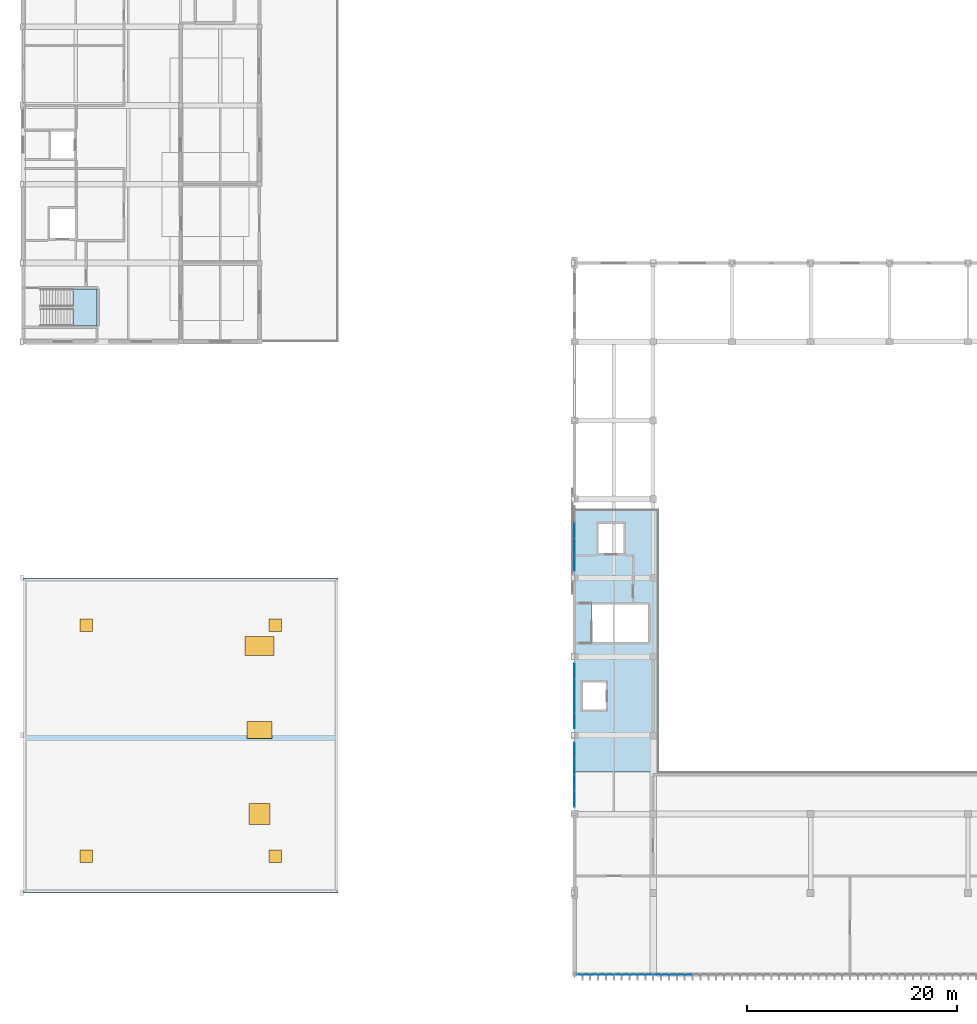
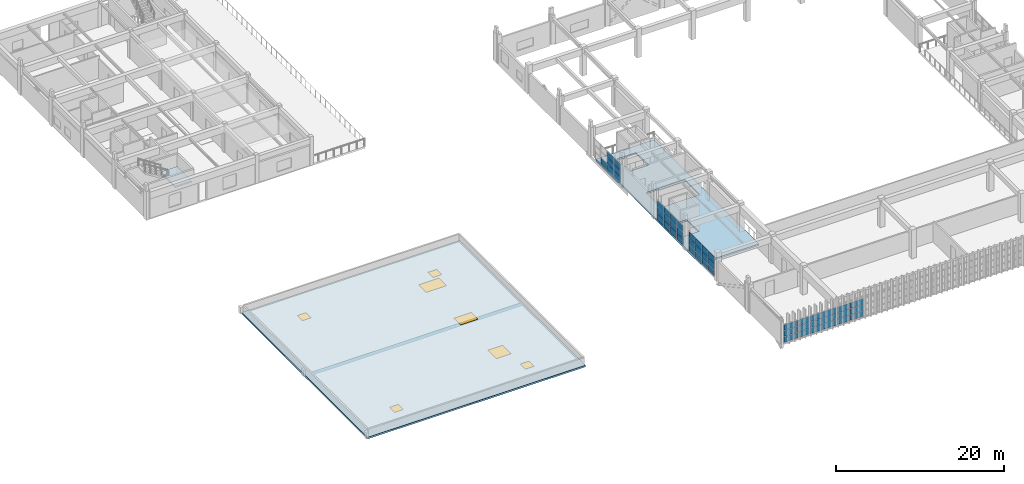
# One storey, part 24 of 51: 49 plates, 4 doors, 3 slabs, 3 windows, 7 openings, 6 elements without a shape of their own.
"""IFC4 building model written with IfcOpenShell, lengths in metres."""

from ifc_helpers import new_model, si_unit, direction, frame, origin, origin_2d, place, context, subcontext, project, spatial, polyline, rectangle, outline, extrude, material, layer, layer_set, type_object, element, fill, aggregate, save


model = new_model("IFC4")

# Units and contexts
model_context = context("Model", 3, precision=1e-05, world=origin(), true_north=direction((0.0, 1.0)))
body_context = subcontext(model_context, "Body", "Model", "MODEL_VIEW")
ifc_project = project(units=[si_unit("LENGTHUNIT", "METRE"), si_unit("AREAUNIT", "SQUARE_METRE"), si_unit("VOLUMEUNIT", "CUBIC_METRE"), si_unit("PLANEANGLEUNIT", "RADIAN"), si_unit("MASSUNIT", "GRAM", prefix="KILO")], contexts=[model_context])

# Site, building, storey
site_placement = place(None, origin())
site = spatial("IfcSite", under=ifc_project, at=site_placement, CompositionType="ELEMENT")
building_placement = place(site_placement, origin())
building = spatial("IfcBuilding", under=site, at=building_placement, Name="Qasida Concert Hall", CompositionType="ELEMENT")
storey_placement = place(building_placement, frame((0.0, 0.0, 21.0)))
storey = spatial("IfcBuildingStorey", under=building, at=storey_placement, Name="L05", CompositionType="ELEMENT", Elevation=21.0)

# Curtain wall, plates
ifc_material_1 = material(Name="Architectural bronze-anodized aluminium and low-E glass", Category="aluminium")
curtain_wall_type = type_object("IfcCurtainWallType", Name="CW-05", PredefinedType="NOTDEFINED", material=ifc_material_1)
curtain_wall_1_placement = place(storey_placement, origin())
curtain_wall_1 = element("IfcCurtainWall", 1, at=curtain_wall_1_placement, inside=storey, type_object=curtain_wall_type, Name="L05 curtain wall CW-05 0029", PredefinedType="NOTDEFINED")
ifc_material_2 = material(Name="Solar-control low-E double glazing", Category="glass")
ifc_layer_1 = layer(ifc_material_2, 0.028076171875, Name="Solar-control low-E double glazing")
ifc_layer_set_1 = layer_set([ifc_layer_1], Name="Solar-control low-E double glazing")
plate_type = type_object("IfcPlateType", Name="PLT-CWP-3", PredefinedType="CURTAIN_PANEL", material=ifc_layer_set_1)
plate_1_placement = place(storey_placement, frame((53.625, 14.699951171875, 0.06005859375), z_axis=(0.0, 0.0, 1.0), x_axis=(1.0, 0.0, 0.0)))
plate_1 = element("IfcPlate", 2, at=plate_1_placement, type_object=plate_type, Name="CW-05 panel 1.1", PredefinedType="CURTAIN_PANEL", context=body_context, shape_type="SweptSolid", body=[
    extrude(rectangle(XDim=1.72998046875, YDim=0.028076171875, at=origin_2d()), origin(), (0.0, 0.0, 1.0), 0.806640625),
])
plate_2_placement = place(storey_placement, frame((53.625, 14.699951171875, 0.9267578125), z_axis=(0.0, 0.0, 1.0), x_axis=(1.0, 0.0, 0.0)))
plate_2 = element("IfcPlate", 3, at=plate_2_placement, type_object=plate_type, Name="CW-05 panel 1.2", PredefinedType="CURTAIN_PANEL", context=body_context, shape_type="SweptSolid", body=[
    extrude(rectangle(XDim=1.72998046875, YDim=0.028076171875, at=origin_2d()), origin(), (0.0, 0.0, 1.0), 0.836669921875),
])
plate_3_placement = place(storey_placement, frame((53.625, 14.699951171875, 1.8232421875), z_axis=(0.0, 0.0, 1.0), x_axis=(1.0, 0.0, 0.0)))
plate_3 = element("IfcPlate", 4, at=plate_3_placement, type_object=plate_type, Name="CW-05 panel 1.3", PredefinedType="CURTAIN_PANEL", context=body_context, shape_type="SweptSolid", body=[
    extrude(rectangle(XDim=1.72998046875, YDim=0.028076171875, at=origin_2d()), origin(), (0.0, 0.0, 1.0), 0.806640625),
])
plate_4_placement = place(storey_placement, frame((55.429931640625, 14.699951171875, 0.06005859375), z_axis=(0.0, 0.0, 1.0), x_axis=(1.0, 0.0, 0.0)))
plate_4 = element("IfcPlate", 5, at=plate_4_placement, type_object=plate_type, Name="CW-05 panel 2.1", PredefinedType="CURTAIN_PANEL", context=body_context, shape_type="SweptSolid", body=[
    extrude(rectangle(XDim=1.760009765625, YDim=0.028076171875, at=origin_2d()), origin(), (0.0, 0.0, 1.0), 0.806640625),
])
plate_5_placement = place(storey_placement, frame((55.429931640625, 14.699951171875, 0.9267578125), z_axis=(0.0, 0.0, 1.0), x_axis=(1.0, 0.0, 0.0)))
plate_5 = element("IfcPlate", 6, at=plate_5_placement, type_object=plate_type, Name="CW-05 panel 2.2", PredefinedType="CURTAIN_PANEL", context=body_context, shape_type="SweptSolid", body=[
    extrude(rectangle(XDim=1.760009765625, YDim=0.028076171875, at=origin_2d()), origin(), (0.0, 0.0, 1.0), 0.836669921875),
])
plate_6_placement = place(storey_placement, frame((55.429931640625, 14.699951171875, 1.8232421875), z_axis=(0.0, 0.0, 1.0), x_axis=(1.0, 0.0, 0.0)))
plate_6 = element("IfcPlate", 7, at=plate_6_placement, type_object=plate_type, Name="CW-05 panel 2.3", PredefinedType="CURTAIN_PANEL", context=body_context, shape_type="SweptSolid", body=[
    extrude(rectangle(XDim=1.760009765625, YDim=0.028076171875, at=origin_2d()), origin(), (0.0, 0.0, 1.0), 0.806640625),
])
plate_7_placement = place(storey_placement, frame((57.25, 14.699951171875, 0.06005859375), z_axis=(0.0, 0.0, 1.0), x_axis=(1.0, 0.0, 0.0)))
plate_7 = element("IfcPlate", 8, at=plate_7_placement, type_object=plate_type, Name="CW-05 panel 3.1", PredefinedType="CURTAIN_PANEL", context=body_context, shape_type="SweptSolid", body=[
    extrude(rectangle(XDim=1.760009765625, YDim=0.028076171875, at=origin_2d()), origin(), (0.0, 0.0, 1.0), 0.806640625),
])
plate_8_placement = place(storey_placement, frame((57.25, 14.699951171875, 0.9267578125), z_axis=(0.0, 0.0, 1.0), x_axis=(1.0, 0.0, 0.0)))
plate_8 = element("IfcPlate", 9, at=plate_8_placement, type_object=plate_type, Name="CW-05 panel 3.2", PredefinedType="CURTAIN_PANEL", context=body_context, shape_type="SweptSolid", body=[
    extrude(rectangle(XDim=1.760009765625, YDim=0.028076171875, at=origin_2d()), origin(), (0.0, 0.0, 1.0), 0.836669921875),
])
plate_9_placement = place(storey_placement, frame((57.25, 14.699951171875, 1.8232421875), z_axis=(0.0, 0.0, 1.0), x_axis=(1.0, 0.0, 0.0)))
plate_9 = element("IfcPlate", 10, at=plate_9_placement, type_object=plate_type, Name="CW-05 panel 3.3", PredefinedType="CURTAIN_PANEL", context=body_context, shape_type="SweptSolid", body=[
    extrude(rectangle(XDim=1.760009765625, YDim=0.028076171875, at=origin_2d()), origin(), (0.0, 0.0, 1.0), 0.806640625),
])
plate_10_placement = place(storey_placement, frame((59.054931640625, 14.699951171875, 0.06005859375), z_axis=(0.0, 0.0, 1.0), x_axis=(1.0, 0.0, 0.0)))
plate_10 = element("IfcPlate", 11, at=plate_10_placement, type_object=plate_type, Name="CW-05 panel 4.1", PredefinedType="CURTAIN_PANEL", context=body_context, shape_type="SweptSolid", body=[
    extrude(rectangle(XDim=1.72998046875, YDim=0.028076171875, at=origin_2d()), origin(), (0.0, 0.0, 1.0), 0.806640625),
])
plate_11_placement = place(storey_placement, frame((59.054931640625, 14.699951171875, 0.9267578125), z_axis=(0.0, 0.0, 1.0), x_axis=(1.0, 0.0, 0.0)))
plate_11 = element("IfcPlate", 12, at=plate_11_placement, type_object=plate_type, Name="CW-05 panel 4.2", PredefinedType="CURTAIN_PANEL", context=body_context, shape_type="SweptSolid", body=[
    extrude(rectangle(XDim=1.72998046875, YDim=0.028076171875, at=origin_2d()), origin(), (0.0, 0.0, 1.0), 0.836669921875),
])
plate_12_placement = place(storey_placement, frame((59.054931640625, 14.699951171875, 1.8232421875), z_axis=(0.0, 0.0, 1.0), x_axis=(1.0, 0.0, 0.0)))
plate_12 = element("IfcPlate", 13, at=plate_12_placement, type_object=plate_type, Name="CW-05 panel 4.3", PredefinedType="CURTAIN_PANEL", context=body_context, shape_type="SweptSolid", body=[
    extrude(rectangle(XDim=1.72998046875, YDim=0.028076171875, at=origin_2d()), origin(), (0.0, 0.0, 1.0), 0.806640625),
])
aggregate(curtain_wall_1, [plate_1, plate_2, plate_3, plate_4, plate_5, plate_6, plate_7, plate_8, plate_9, plate_10, plate_11, plate_12])

curtain_wall_2_placement = place(storey_placement, origin())
curtain_wall_2 = element("IfcCurtainWall", 14, at=curtain_wall_2_placement, inside=storey, type_object=curtain_wall_type, Name="L05 curtain wall CW-05 0030", PredefinedType="NOTDEFINED")
plate_13_placement = place(storey_placement, frame((60.967529296875, 14.699951171875, 0.06005859375), z_axis=(0.0, 0.0, 1.0), x_axis=(1.0, 0.0, 0.0)))
plate_13 = element("IfcPlate", 15, at=plate_13_placement, type_object=plate_type, Name="CW-05 panel 1.1", PredefinedType="CURTAIN_PANEL", context=body_context, shape_type="SweptSolid", body=[
    extrude(rectangle(XDim=1.77490234375, YDim=0.028076171875, at=origin_2d()), origin(), (0.0, 0.0, 1.0), 0.806640625),
])
plate_14_placement = place(storey_placement, frame((60.967529296875, 14.699951171875, 0.9267578125), z_axis=(0.0, 0.0, 1.0), x_axis=(1.0, 0.0, 0.0)))
plate_14 = element("IfcPlate", 16, at=plate_14_placement, type_object=plate_type, Name="CW-05 panel 1.2", PredefinedType="CURTAIN_PANEL", context=body_context, shape_type="SweptSolid", body=[
    extrude(rectangle(XDim=1.77490234375, YDim=0.028076171875, at=origin_2d()), origin(), (0.0, 0.0, 1.0), 0.836669921875),
])
plate_15_placement = place(storey_placement, frame((60.967529296875, 14.699951171875, 1.8232421875), z_axis=(0.0, 0.0, 1.0), x_axis=(1.0, 0.0, 0.0)))
plate_15 = element("IfcPlate", 17, at=plate_15_placement, type_object=plate_type, Name="CW-05 panel 1.3", PredefinedType="CURTAIN_PANEL", context=body_context, shape_type="SweptSolid", body=[
    extrude(rectangle(XDim=1.77490234375, YDim=0.028076171875, at=origin_2d()), origin(), (0.0, 0.0, 1.0), 0.806640625),
])
plate_16_placement = place(storey_placement, frame((62.8173828125, 14.699951171875, 0.06005859375), z_axis=(0.0, 0.0, 1.0), x_axis=(1.0, 0.0, 0.0)))
plate_16 = element("IfcPlate", 18, at=plate_16_placement, type_object=plate_type, Name="CW-05 panel 2.1", PredefinedType="CURTAIN_PANEL", context=body_context, shape_type="SweptSolid", body=[
    extrude(rectangle(XDim=1.804931640625, YDim=0.028076171875, at=origin_2d()), origin(), (0.0, 0.0, 1.0), 0.806640625),
])
plate_17_placement = place(storey_placement, frame((62.8173828125, 14.699951171875, 0.9267578125), z_axis=(0.0, 0.0, 1.0), x_axis=(1.0, 0.0, 0.0)))
plate_17 = element("IfcPlate", 19, at=plate_17_placement, type_object=plate_type, Name="CW-05 panel 2.2", PredefinedType="CURTAIN_PANEL", context=body_context, shape_type="SweptSolid", body=[
    extrude(rectangle(XDim=1.804931640625, YDim=0.028076171875, at=origin_2d()), origin(), (0.0, 0.0, 1.0), 0.836669921875),
])
plate_18_placement = place(storey_placement, frame((62.8173828125, 14.699951171875, 1.8232421875), z_axis=(0.0, 0.0, 1.0), x_axis=(1.0, 0.0, 0.0)))
plate_18 = element("IfcPlate", 20, at=plate_18_placement, type_object=plate_type, Name="CW-05 panel 2.3", PredefinedType="CURTAIN_PANEL", context=body_context, shape_type="SweptSolid", body=[
    extrude(rectangle(XDim=1.804931640625, YDim=0.028076171875, at=origin_2d()), origin(), (0.0, 0.0, 1.0), 0.806640625),
])
aggregate(curtain_wall_2, [plate_13, plate_14, plate_15, plate_16, plate_17, plate_18])

curtain_wall_3_placement = place(storey_placement, origin())
curtain_wall_3 = element("IfcCurtainWall", 21, at=curtain_wall_3_placement, inside=storey, type_object=curtain_wall_type, Name="L05 curtain wall CW-05 0062", PredefinedType="NOTDEFINED")
plate_19_placement = place(storey_placement, frame((52.5, 31.41748046875, 0.06005859375), z_axis=(0.0, 0.0, 1.0), x_axis=(0.0, 1.0, 0.0)))
plate_19 = element("IfcPlate", 22, at=plate_19_placement, type_object=plate_type, Name="CW-05 panel 1.1", PredefinedType="CURTAIN_PANEL", context=body_context, shape_type="SweptSolid", body=[
    extrude(rectangle(XDim=1.47509765625, YDim=0.028076171875, at=origin_2d()), origin(), (0.0, 0.0, 1.0), 0.889892578125),
])
plate_20_placement = place(storey_placement, frame((52.5, 31.41748046875, 1.010009765625), z_axis=(0.0, 0.0, 1.0), x_axis=(0.0, 1.0, 0.0)))
plate_20 = element("IfcPlate", 23, at=plate_20_placement, type_object=plate_type, Name="CW-05 panel 1.2", PredefinedType="CURTAIN_PANEL", context=body_context, shape_type="SweptSolid", body=[
    extrude(rectangle(XDim=1.47509765625, YDim=0.028076171875, at=origin_2d()), origin(), (0.0, 0.0, 1.0), 0.919921875),
])
plate_21_placement = place(storey_placement, frame((52.5, 31.41748046875, 1.990234375), z_axis=(0.0, 0.0, 1.0), x_axis=(0.0, 1.0, 0.0)))
plate_21 = element("IfcPlate", 24, at=plate_21_placement, type_object=plate_type, Name="CW-05 panel 1.3", PredefinedType="CURTAIN_PANEL", context=body_context, shape_type="SweptSolid", body=[
    extrude(rectangle(XDim=1.47509765625, YDim=0.028076171875, at=origin_2d()), origin(), (0.0, 0.0, 1.0), 0.889892578125),
])
plate_22_placement = place(storey_placement, frame((52.5, 32.967529296875, 0.06005859375), z_axis=(0.0, 0.0, 1.0), x_axis=(0.0, 1.0, 0.0)))
plate_22 = element("IfcPlate", 25, at=plate_22_placement, type_object=plate_type, Name="CW-05 panel 2.1", PredefinedType="CURTAIN_PANEL", context=body_context, shape_type="SweptSolid", body=[
    extrude(rectangle(XDim=1.5048828125, YDim=0.028076171875, at=origin_2d()), origin(), (0.0, 0.0, 1.0), 0.889892578125),
])
plate_23_placement = place(storey_placement, frame((52.5, 32.967529296875, 1.010009765625), z_axis=(0.0, 0.0, 1.0), x_axis=(0.0, 1.0, 0.0)))
plate_23 = element("IfcPlate", 26, at=plate_23_placement, type_object=plate_type, Name="CW-05 panel 2.2", PredefinedType="CURTAIN_PANEL", context=body_context, shape_type="SweptSolid", body=[
    extrude(rectangle(XDim=1.5048828125, YDim=0.028076171875, at=origin_2d()), origin(), (0.0, 0.0, 1.0), 0.919921875),
])
plate_24_placement = place(storey_placement, frame((52.5, 32.967529296875, 1.990234375), z_axis=(0.0, 0.0, 1.0), x_axis=(0.0, 1.0, 0.0)))
plate_24 = element("IfcPlate", 27, at=plate_24_placement, type_object=plate_type, Name="CW-05 panel 2.3", PredefinedType="CURTAIN_PANEL", context=body_context, shape_type="SweptSolid", body=[
    extrude(rectangle(XDim=1.5048828125, YDim=0.028076171875, at=origin_2d()), origin(), (0.0, 0.0, 1.0), 0.889892578125),
])
plate_25_placement = place(storey_placement, frame((52.5, 34.532470703125, 0.06005859375), z_axis=(0.0, 0.0, 1.0), x_axis=(0.0, 1.0, 0.0)))
plate_25 = element("IfcPlate", 28, at=plate_25_placement, type_object=plate_type, Name="CW-05 panel 3.1", PredefinedType="CURTAIN_PANEL", context=body_context, shape_type="SweptSolid", body=[
    extrude(rectangle(XDim=1.5048828125, YDim=0.028076171875, at=origin_2d()), origin(), (0.0, 0.0, 1.0), 0.889892578125),
])
plate_26_placement = place(storey_placement, frame((52.5, 34.532470703125, 1.010009765625), z_axis=(0.0, 0.0, 1.0), x_axis=(0.0, 1.0, 0.0)))
plate_26 = element("IfcPlate", 29, at=plate_26_placement, type_object=plate_type, Name="CW-05 panel 3.2", PredefinedType="CURTAIN_PANEL", context=body_context, shape_type="SweptSolid", body=[
    extrude(rectangle(XDim=1.5048828125, YDim=0.028076171875, at=origin_2d()), origin(), (0.0, 0.0, 1.0), 0.919921875),
])
plate_27_placement = place(storey_placement, frame((52.5, 34.532470703125, 1.990234375), z_axis=(0.0, 0.0, 1.0), x_axis=(0.0, 1.0, 0.0)))
plate_27 = element("IfcPlate", 30, at=plate_27_placement, type_object=plate_type, Name="CW-05 panel 3.3", PredefinedType="CURTAIN_PANEL", context=body_context, shape_type="SweptSolid", body=[
    extrude(rectangle(XDim=1.5048828125, YDim=0.028076171875, at=origin_2d()), origin(), (0.0, 0.0, 1.0), 0.889892578125),
])
plate_28_placement = place(storey_placement, frame((52.5, 36.08251953125, 0.06005859375), z_axis=(0.0, 0.0, 1.0), x_axis=(0.0, 1.0, 0.0)))
plate_28 = element("IfcPlate", 31, at=plate_28_placement, type_object=plate_type, Name="CW-05 panel 4.1", PredefinedType="CURTAIN_PANEL", context=body_context, shape_type="SweptSolid", body=[
    extrude(rectangle(XDim=1.47509765625, YDim=0.028076171875, at=origin_2d()), origin(), (0.0, 0.0, 1.0), 0.889892578125),
])
plate_29_placement = place(storey_placement, frame((52.5, 36.08251953125, 1.010009765625), z_axis=(0.0, 0.0, 1.0), x_axis=(0.0, 1.0, 0.0)))
plate_29 = element("IfcPlate", 32, at=plate_29_placement, type_object=plate_type, Name="CW-05 panel 4.2", PredefinedType="CURTAIN_PANEL", context=body_context, shape_type="SweptSolid", body=[
    extrude(rectangle(XDim=1.47509765625, YDim=0.028076171875, at=origin_2d()), origin(), (0.0, 0.0, 1.0), 0.919921875),
])
plate_30_placement = place(storey_placement, frame((52.5, 36.08251953125, 1.990234375), z_axis=(0.0, 0.0, 1.0), x_axis=(0.0, 1.0, 0.0)))
plate_30 = element("IfcPlate", 33, at=plate_30_placement, type_object=plate_type, Name="CW-05 panel 4.3", PredefinedType="CURTAIN_PANEL", context=body_context, shape_type="SweptSolid", body=[
    extrude(rectangle(XDim=1.47509765625, YDim=0.028076171875, at=origin_2d()), origin(), (0.0, 0.0, 1.0), 0.889892578125),
])
aggregate(curtain_wall_3, [plate_19, plate_20, plate_21, plate_22, plate_23, plate_24, plate_25, plate_26, plate_27, plate_28, plate_29, plate_30])

curtain_wall_4_placement = place(storey_placement, origin())
curtain_wall_4 = element("IfcCurtainWall", 34, at=curtain_wall_4_placement, inside=storey, type_object=curtain_wall_type, Name="L05 curtain wall CW-05 0064", PredefinedType="NOTDEFINED")
plate_31_placement = place(storey_placement, frame((52.5, 38.91748046875, 0.06005859375), z_axis=(0.0, 0.0, 1.0), x_axis=(0.0, 1.0, 0.0)))
plate_31 = element("IfcPlate", 35, at=plate_31_placement, type_object=plate_type, Name="CW-05 panel 1.1", PredefinedType="CURTAIN_PANEL", context=body_context, shape_type="SweptSolid", body=[
    extrude(rectangle(XDim=1.47509765625, YDim=0.028076171875, at=origin_2d()), origin(), (0.0, 0.0, 1.0), 0.889892578125),
])
plate_32_placement = place(storey_placement, frame((52.5, 38.91748046875, 1.010009765625), z_axis=(0.0, 0.0, 1.0), x_axis=(0.0, 1.0, 0.0)))
plate_32 = element("IfcPlate", 36, at=plate_32_placement, type_object=plate_type, Name="CW-05 panel 1.2", PredefinedType="CURTAIN_PANEL", context=body_context, shape_type="SweptSolid", body=[
    extrude(rectangle(XDim=1.47509765625, YDim=0.028076171875, at=origin_2d()), origin(), (0.0, 0.0, 1.0), 0.919921875),
])
plate_33_placement = place(storey_placement, frame((52.5, 38.91748046875, 1.990234375), z_axis=(0.0, 0.0, 1.0), x_axis=(0.0, 1.0, 0.0)))
plate_33 = element("IfcPlate", 37, at=plate_33_placement, type_object=plate_type, Name="CW-05 panel 1.3", PredefinedType="CURTAIN_PANEL", context=body_context, shape_type="SweptSolid", body=[
    extrude(rectangle(XDim=1.47509765625, YDim=0.028076171875, at=origin_2d()), origin(), (0.0, 0.0, 1.0), 0.889892578125),
])
plate_34_placement = place(storey_placement, frame((52.5, 40.467529296875, 0.06005859375), z_axis=(0.0, 0.0, 1.0), x_axis=(0.0, 1.0, 0.0)))
plate_34 = element("IfcPlate", 38, at=plate_34_placement, type_object=plate_type, Name="CW-05 panel 2.1", PredefinedType="CURTAIN_PANEL", context=body_context, shape_type="SweptSolid", body=[
    extrude(rectangle(XDim=1.5048828125, YDim=0.028076171875, at=origin_2d()), origin(), (0.0, 0.0, 1.0), 0.889892578125),
])
plate_35_placement = place(storey_placement, frame((52.5, 40.467529296875, 1.010009765625), z_axis=(0.0, 0.0, 1.0), x_axis=(0.0, 1.0, 0.0)))
plate_35 = element("IfcPlate", 39, at=plate_35_placement, type_object=plate_type, Name="CW-05 panel 2.2", PredefinedType="CURTAIN_PANEL", context=body_context, shape_type="SweptSolid", body=[
    extrude(rectangle(XDim=1.5048828125, YDim=0.028076171875, at=origin_2d()), origin(), (0.0, 0.0, 1.0), 0.919921875),
])
plate_36_placement = place(storey_placement, frame((52.5, 40.467529296875, 1.990234375), z_axis=(0.0, 0.0, 1.0), x_axis=(0.0, 1.0, 0.0)))
plate_36 = element("IfcPlate", 40, at=plate_36_placement, type_object=plate_type, Name="CW-05 panel 2.3", PredefinedType="CURTAIN_PANEL", context=body_context, shape_type="SweptSolid", body=[
    extrude(rectangle(XDim=1.5048828125, YDim=0.028076171875, at=origin_2d()), origin(), (0.0, 0.0, 1.0), 0.889892578125),
])
plate_37_placement = place(storey_placement, frame((52.5, 42.032470703125, 0.06005859375), z_axis=(0.0, 0.0, 1.0), x_axis=(0.0, 1.0, 0.0)))
plate_37 = element("IfcPlate", 41, at=plate_37_placement, type_object=plate_type, Name="CW-05 panel 3.1", PredefinedType="CURTAIN_PANEL", context=body_context, shape_type="SweptSolid", body=[
    extrude(rectangle(XDim=1.5048828125, YDim=0.028076171875, at=origin_2d()), origin(), (0.0, 0.0, 1.0), 0.889892578125),
])
plate_38_placement = place(storey_placement, frame((52.5, 42.032470703125, 1.010009765625), z_axis=(0.0, 0.0, 1.0), x_axis=(0.0, 1.0, 0.0)))
plate_38 = element("IfcPlate", 42, at=plate_38_placement, type_object=plate_type, Name="CW-05 panel 3.2", PredefinedType="CURTAIN_PANEL", context=body_context, shape_type="SweptSolid", body=[
    extrude(rectangle(XDim=1.5048828125, YDim=0.028076171875, at=origin_2d()), origin(), (0.0, 0.0, 1.0), 0.919921875),
])
plate_39_placement = place(storey_placement, frame((52.5, 42.032470703125, 1.990234375), z_axis=(0.0, 0.0, 1.0), x_axis=(0.0, 1.0, 0.0)))
plate_39 = element("IfcPlate", 43, at=plate_39_placement, type_object=plate_type, Name="CW-05 panel 3.3", PredefinedType="CURTAIN_PANEL", context=body_context, shape_type="SweptSolid", body=[
    extrude(rectangle(XDim=1.5048828125, YDim=0.028076171875, at=origin_2d()), origin(), (0.0, 0.0, 1.0), 0.889892578125),
])
plate_40_placement = place(storey_placement, frame((52.5, 43.58251953125, 0.06005859375), z_axis=(0.0, 0.0, 1.0), x_axis=(0.0, 1.0, 0.0)))
plate_40 = element("IfcPlate", 44, at=plate_40_placement, type_object=plate_type, Name="CW-05 panel 4.1", PredefinedType="CURTAIN_PANEL", context=body_context, shape_type="SweptSolid", body=[
    extrude(rectangle(XDim=1.47509765625, YDim=0.028076171875, at=origin_2d()), origin(), (0.0, 0.0, 1.0), 0.889892578125),
])
plate_41_placement = place(storey_placement, frame((52.5, 43.58251953125, 1.010009765625), z_axis=(0.0, 0.0, 1.0), x_axis=(0.0, 1.0, 0.0)))
plate_41 = element("IfcPlate", 45, at=plate_41_placement, type_object=plate_type, Name="CW-05 panel 4.2", PredefinedType="CURTAIN_PANEL", context=body_context, shape_type="SweptSolid", body=[
    extrude(rectangle(XDim=1.47509765625, YDim=0.028076171875, at=origin_2d()), origin(), (0.0, 0.0, 1.0), 0.919921875),
])
plate_42_placement = place(storey_placement, frame((52.5, 43.58251953125, 1.990234375), z_axis=(0.0, 0.0, 1.0), x_axis=(0.0, 1.0, 0.0)))
plate_42 = element("IfcPlate", 46, at=plate_42_placement, type_object=plate_type, Name="CW-05 panel 4.3", PredefinedType="CURTAIN_PANEL", context=body_context, shape_type="SweptSolid", body=[
    extrude(rectangle(XDim=1.47509765625, YDim=0.028076171875, at=origin_2d()), origin(), (0.0, 0.0, 1.0), 0.889892578125),
])
aggregate(curtain_wall_4, [plate_31, plate_32, plate_33, plate_34, plate_35, plate_36, plate_37, plate_38, plate_39, plate_40, plate_41, plate_42])

curtain_wall_5_placement = place(storey_placement, origin())
curtain_wall_5 = element("IfcCurtainWall", 47, at=curtain_wall_5_placement, inside=storey, type_object=curtain_wall_type, Name="L05 curtain wall CW-05 0066", PredefinedType="NOTDEFINED")
plate_43_placement = place(storey_placement, frame((52.5, 53.91748046875, 0.06005859375), z_axis=(0.0, 0.0, 1.0), x_axis=(0.0, 1.0, 0.0)))
plate_43 = element("IfcPlate", 48, at=plate_43_placement, type_object=plate_type, Name="CW-05 panel 1.1", PredefinedType="CURTAIN_PANEL", context=body_context, shape_type="SweptSolid", body=[
    extrude(rectangle(XDim=1.47509765625, YDim=0.028076171875, at=origin_2d()), origin(), (0.0, 0.0, 1.0), 0.856689453125),
])
plate_44_placement = place(storey_placement, frame((52.5, 53.91748046875, 0.9765625), z_axis=(0.0, 0.0, 1.0), x_axis=(0.0, 1.0, 0.0)))
plate_44 = element("IfcPlate", 49, at=plate_44_placement, type_object=plate_type, Name="CW-05 panel 1.2", PredefinedType="CURTAIN_PANEL", context=body_context, shape_type="SweptSolid", body=[
    extrude(rectangle(XDim=1.47509765625, YDim=0.028076171875, at=origin_2d()), origin(), (0.0, 0.0, 1.0), 0.88671875),
])
plate_45_placement = place(storey_placement, frame((52.5, 53.91748046875, 1.92333984375), z_axis=(0.0, 0.0, 1.0), x_axis=(0.0, 1.0, 0.0)))
plate_45 = element("IfcPlate", 50, at=plate_45_placement, type_object=plate_type, Name="CW-05 panel 1.3", PredefinedType="CURTAIN_PANEL", context=body_context, shape_type="SweptSolid", body=[
    extrude(rectangle(XDim=1.47509765625, YDim=0.028076171875, at=origin_2d()), origin(), (0.0, 0.0, 1.0), 0.856689453125),
])
plate_46_placement = place(storey_placement, frame((52.5, 55.467529296875, 0.06005859375), z_axis=(0.0, 0.0, 1.0), x_axis=(0.0, 1.0, 0.0)))
plate_46 = element("IfcPlate", 51, at=plate_46_placement, type_object=plate_type, Name="CW-05 panel 2.1", PredefinedType="CURTAIN_PANEL", context=body_context, shape_type="SweptSolid", body=[
    extrude(rectangle(XDim=1.5048828125, YDim=0.028076171875, at=origin_2d()), origin(), (0.0, 0.0, 1.0), 0.856689453125),
])
plate_47_placement = place(storey_placement, frame((52.5, 55.467529296875, 0.9765625), z_axis=(0.0, 0.0, 1.0), x_axis=(0.0, 1.0, 0.0)))
plate_47 = element("IfcPlate", 52, at=plate_47_placement, type_object=plate_type, Name="CW-05 panel 2.2", PredefinedType="CURTAIN_PANEL", context=body_context, shape_type="SweptSolid", body=[
    extrude(rectangle(XDim=1.5048828125, YDim=0.028076171875, at=origin_2d()), origin(), (0.0, 0.0, 1.0), 0.88671875),
])
plate_48_placement = place(storey_placement, frame((52.5, 55.467529296875, 1.92333984375), z_axis=(0.0, 0.0, 1.0), x_axis=(0.0, 1.0, 0.0)))
plate_48 = element("IfcPlate", 53, at=plate_48_placement, type_object=plate_type, Name="CW-05 panel 2.3", PredefinedType="CURTAIN_PANEL", context=body_context, shape_type="SweptSolid", body=[
    extrude(rectangle(XDim=1.5048828125, YDim=0.028076171875, at=origin_2d()), origin(), (0.0, 0.0, 1.0), 0.856689453125),
])
plate_49_placement = place(storey_placement, frame((52.5, 57.032470703125, 0.06005859375), z_axis=(0.0, 0.0, 1.0), x_axis=(0.0, 1.0, 0.0)))
plate_49 = element("IfcPlate", 54, at=plate_49_placement, type_object=plate_type, Name="CW-05 panel 3.1", PredefinedType="CURTAIN_PANEL", context=body_context, shape_type="SweptSolid", body=[
    extrude(rectangle(XDim=1.5048828125, YDim=0.028076171875, at=origin_2d()), origin(), (0.0, 0.0, 1.0), 0.856689453125),
])
aggregate(curtain_wall_5, [plate_43, plate_44, plate_45, plate_46, plate_47, plate_48, plate_49])

# Slab
ifc_material_3 = material(Name="Concrete C40/50", Category="concrete")
ifc_layer_2 = layer(ifc_material_3, 0.239990234375, Name="Concrete C40/50")
ifc_layer_set_2 = layer_set([ifc_layer_2], Name="Concrete C40/50")
slab_type_1 = type_object("IfcSlabType", Name="SL-FS-240", PredefinedType="FLOOR", material=ifc_layer_set_2)
slab_1_placement = place(storey_placement, frame((0.0, 0.0, -0.239990234375)))
element("IfcSlab", 55, at=slab_1_placement, inside=storey, type_object=slab_type_1, Name="V1 technical gallery west (FS-240)", PredefinedType="FLOOR", context=body_context, shape_type="SweptSolid", body=[
    extrude(outline(polyline([(52.5, 34.0), (60.5, 34.0), (60.5, 59.0), (52.5, 59.0), (52.5, 34.0)]), holes=[polyline([(53.199951171875, 39.85009765625), (55.60009765625, 39.85009765625), (55.60009765625, 42.64990234375), (53.199951171875, 42.64990234375), (53.199951171875, 39.85009765625)]), polyline([(54.18994140625, 46.39990234375), (59.52001953125, 46.39990234375), (59.52001953125, 49.9599609375), (54.18994140625, 49.9599609375), (54.18994140625, 46.39990234375)]), polyline([(54.699951171875, 54.75), (57.300048828125, 54.75), (57.300048828125, 57.75), (54.699951171875, 57.75), (54.699951171875, 54.75)])]), origin(), (0.0, 0.0, 1.0), 0.239990234375),
])

# Stair, slab
stair_type = type_object("IfcStairType", Name="ST-DL-165", PredefinedType="HALF_TURN_STAIR", material=ifc_material_3)
stair_placement = place(storey_placement, origin())
stair = element("IfcStair", 56, at=stair_placement, inside=storey, type_object=stair_type, Name="L05 Exit stair ST-05", PredefinedType="HALF_TURN_STAIR")
ifc_layer_3 = layer(ifc_material_3, 0.199951171875, Name="Concrete C40/50")
ifc_layer_set_3 = layer_set([ifc_layer_3], Name="Concrete C40/50")
slab_type_2 = type_object("IfcSlabType", Name="SL-LND-200", PredefinedType="LANDING", material=ifc_layer_set_3)
slab_2_placement = place(storey_placement, frame((0.0, 0.0, 1.89990234375)))
slab_2 = element("IfcSlab", 57, at=slab_2_placement, type_object=slab_type_2, Name="ST-05 landing 1", PredefinedType="LANDING", context=body_context, shape_type="SweptSolid", body=[
    extrude(outline(polyline([(4.72998046875, 76.5), (7.02001953125, 76.5), (7.02001953125, 80.0), (4.72998046875, 80.0), (4.72998046875, 76.5)])), origin(), (0.0, 0.0, 1.0), 0.2001953125),
])
aggregate(stair, [slab_2])

# Slab, openings, doors, windows
ifc_layer_4 = layer(ifc_material_3, 0.239990234375, Name="Concrete C40/50")
ifc_layer_set_4 = layer_set([ifc_layer_4], Name="Concrete C40/50")
slab_type_3 = type_object("IfcSlabType", Name="SL-RS-240", PredefinedType="ROOF", material=ifc_layer_set_4)
slab_3_placement = place(storey_placement, frame((0.0, 0.0, -0.239990234375)))
slab_3 = element("IfcSlab", 58, at=slab_3_placement, inside=storey, type_object=slab_type_3, Name="V3 top roof slab (RS-240)", PredefinedType="ROOF", context=body_context, shape_type="SweptSolid", body=[
    extrude(outline(polyline([(0.0, 22.5), (30.0, 22.5), (30.0, 52.5), (0.0, 52.5), (0.0, 22.5)])), origin(), (0.0, 0.0, 1.0), 0.239990234375),
])
opening_1_placement = place(slab_3_placement, frame((22.5, 30.0, -0.010009765625)))
opening_1 = element("IfcOpeningElement", 59, at=opening_1_placement, cuts=slab_3, Name="Opening SK-04", PredefinedType="OPENING", context=body_context, shape_type="SweptSolid", body=[
    extrude(rectangle(XDim=2.0, YDim=2.0, at=origin_2d()), origin(), (0.0, 0.0, 1.0), 0.260009765625),
])
opening_2_placement = place(slab_3_placement, frame((22.5, 38.0, -0.010009765625)))
opening_2 = element("IfcOpeningElement", 60, at=opening_2_placement, cuts=slab_3, Name="Opening SK-01", PredefinedType="OPENING", context=body_context, shape_type="SweptSolid", body=[
    extrude(rectangle(XDim=2.39990234375, YDim=1.60009765625, at=origin_2d()), origin(), (0.0, 0.0, 1.0), 0.260009765625),
])
opening_3_placement = place(slab_3_placement, frame((22.5, 46.0, -0.010009765625)))
opening_3 = element("IfcOpeningElement", 61, at=opening_3_placement, cuts=slab_3, Name="Opening SK-02", PredefinedType="OPENING", context=body_context, shape_type="SweptSolid", body=[
    extrude(rectangle(XDim=2.800048828125, YDim=1.800048828125, at=origin_2d()), origin(), (0.0, 0.0, 1.0), 0.260009765625),
])
opening_4_placement = place(slab_3_placement, frame((6.0, 26.0, -0.010009765625)))
opening_4 = element("IfcOpeningElement", 62, at=opening_4_placement, cuts=slab_3, Name="Opening RH-120", PredefinedType="OPENING", context=body_context, shape_type="SweptSolid", body=[
    extrude(rectangle(XDim=1.199951171875, YDim=1.199951171875, at=origin_2d()), origin(), (0.0, 0.0, 1.0), 0.260009765625),
])
opening_5_placement = place(slab_3_placement, frame((24.0, 26.0, -0.010009765625)))
opening_5 = element("IfcOpeningElement", 63, at=opening_5_placement, cuts=slab_3, Name="Opening RH-120", PredefinedType="OPENING", context=body_context, shape_type="SweptSolid", body=[
    extrude(rectangle(XDim=1.199951171875, YDim=1.199951171875, at=origin_2d()), origin(), (0.0, 0.0, 1.0), 0.260009765625),
])
opening_6_placement = place(slab_3_placement, frame((6.0, 48.0, -0.010009765625)))
opening_6 = element("IfcOpeningElement", 64, at=opening_6_placement, cuts=slab_3, Name="Opening RH-120", PredefinedType="OPENING", context=body_context, shape_type="SweptSolid", body=[
    extrude(rectangle(XDim=1.199951171875, YDim=1.199951171875, at=origin_2d()), origin(), (0.0, 0.0, 1.0), 0.260009765625),
])
opening_7_placement = place(slab_3_placement, frame((24.0, 48.0, -0.010009765625)))
opening_7 = element("IfcOpeningElement", 65, at=opening_7_placement, cuts=slab_3, Name="Opening RH-120", PredefinedType="OPENING", context=body_context, shape_type="SweptSolid", body=[
    extrude(rectangle(XDim=1.199951171875, YDim=1.199951171875, at=origin_2d()), origin(), (0.0, 0.0, 1.0), 0.260009765625),
])
ifc_material_4 = material(Name="Insulated powder-coated galvanized steel", Category="steel")
door_type = type_object("IfcDoorType", Name="RH-120", OperationType="NOTDEFINED", PredefinedType="TRAPDOOR", material=ifc_material_4)
door_1_placement = place(storey_placement, frame((6.0, 26.0, -0.050048828125)))
door_1 = element("IfcDoor", 66, at=door_1_placement, inside=storey, type_object=door_type, Name="L05 roof access hatch RH-03", OperationType="SINGLE_SWING_LEFT", OverallHeight=1.199951171875, OverallWidth=1.199951171875, PredefinedType="TRAPDOOR", context=body_context, shape_type="SweptSolid", body=[
    extrude(rectangle(XDim=1.199951171875, YDim=1.199951171875, at=origin_2d()), origin(), (0.0, 0.0, 1.0), 0.050048828125),
])
fill(opening_4, door_1)
door_2_placement = place(storey_placement, frame((24.0, 26.0, -0.050048828125)))
door_2 = element("IfcDoor", 67, at=door_2_placement, inside=storey, type_object=door_type, Name="L05 roof access hatch RH-04", OperationType="SINGLE_SWING_LEFT", OverallHeight=1.199951171875, OverallWidth=1.199951171875, PredefinedType="TRAPDOOR", context=body_context, shape_type="SweptSolid", body=[
    extrude(rectangle(XDim=1.199951171875, YDim=1.199951171875, at=origin_2d()), origin(), (0.0, 0.0, 1.0), 0.050048828125),
])
fill(opening_5, door_2)
door_3_placement = place(storey_placement, frame((6.0, 48.0, -0.050048828125)))
door_3 = element("IfcDoor", 68, at=door_3_placement, inside=storey, type_object=door_type, Name="L05 roof access hatch RH-05", OperationType="SINGLE_SWING_LEFT", OverallHeight=1.199951171875, OverallWidth=1.199951171875, PredefinedType="TRAPDOOR", context=body_context, shape_type="SweptSolid", body=[
    extrude(rectangle(XDim=1.199951171875, YDim=1.199951171875, at=origin_2d()), origin(), (0.0, 0.0, 1.0), 0.050048828125),
])
fill(opening_6, door_3)
door_4_placement = place(storey_placement, frame((24.0, 48.0, -0.050048828125)))
door_4 = element("IfcDoor", 69, at=door_4_placement, inside=storey, type_object=door_type, Name="L05 roof access hatch RH-06", OperationType="SINGLE_SWING_LEFT", OverallHeight=1.199951171875, OverallWidth=1.199951171875, PredefinedType="TRAPDOOR", context=body_context, shape_type="SweptSolid", body=[
    extrude(rectangle(XDim=1.199951171875, YDim=1.199951171875, at=origin_2d()), origin(), (0.0, 0.0, 1.0), 0.050048828125),
])
fill(opening_7, door_4)
ifc_material_5 = material(Name="Bronze-anodized aluminium frame with acoustic low-E glazing", Category="aluminium")
window_type_1 = type_object("IfcWindowType", Name="SK-01", PartitioningType="SINGLE_PANEL", PredefinedType="SKYLIGHT", material=ifc_material_5)
window_1_placement = place(storey_placement, frame((22.5, 38.0, -0.050048828125)))
window_1 = element("IfcWindow", 70, at=window_1_placement, inside=storey, type_object=window_type_1, Name="L05 acoustic skylight SK-01 009", OverallHeight=1.60009765625, OverallWidth=2.39990234375, PartitioningType="SINGLE_PANEL", PredefinedType="SKYLIGHT", context=body_context, shape_type="SweptSolid", body=[
    extrude(rectangle(XDim=2.39990234375, YDim=1.60009765625, at=origin_2d()), origin(), (0.0, 0.0, 1.0), 0.050048828125),
])
fill(opening_2, window_1)
window_type_2 = type_object("IfcWindowType", Name="SK-02", PartitioningType="SINGLE_PANEL", PredefinedType="SKYLIGHT", material=ifc_material_5)
window_2_placement = place(storey_placement, frame((22.5, 46.0, -0.050048828125)))
window_2 = element("IfcWindow", 71, at=window_2_placement, inside=storey, type_object=window_type_2, Name="L05 acoustic skylight SK-02 010", OverallHeight=1.800048828125, OverallWidth=2.800048828125, PartitioningType="SINGLE_PANEL", PredefinedType="SKYLIGHT", context=body_context, shape_type="SweptSolid", body=[
    extrude(rectangle(XDim=2.800048828125, YDim=1.800048828125, at=origin_2d()), origin(), (0.0, 0.0, 1.0), 0.050048828125),
])
fill(opening_3, window_2)
window_type_3 = type_object("IfcWindowType", Name="SK-04", PartitioningType="SINGLE_PANEL", PredefinedType="SKYLIGHT", material=ifc_material_5)
window_3_placement = place(storey_placement, frame((22.5, 30.0, -0.050048828125)))
window_3 = element("IfcWindow", 72, at=window_3_placement, inside=storey, type_object=window_type_3, Name="L05 acoustic skylight SK-04 008", OverallHeight=2.0, OverallWidth=2.0, PartitioningType="SINGLE_PANEL", PredefinedType="SKYLIGHT", context=body_context, shape_type="SweptSolid", body=[
    extrude(rectangle(XDim=2.0, YDim=2.0, at=origin_2d()), origin(), (0.0, 0.0, 1.0), 0.050048828125),
])
fill(opening_1, window_3)

save(model, "model.ifc")
